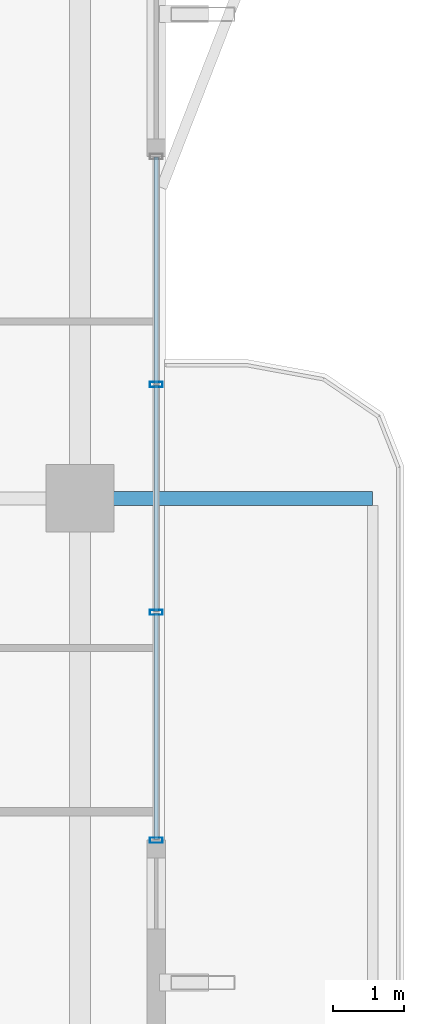
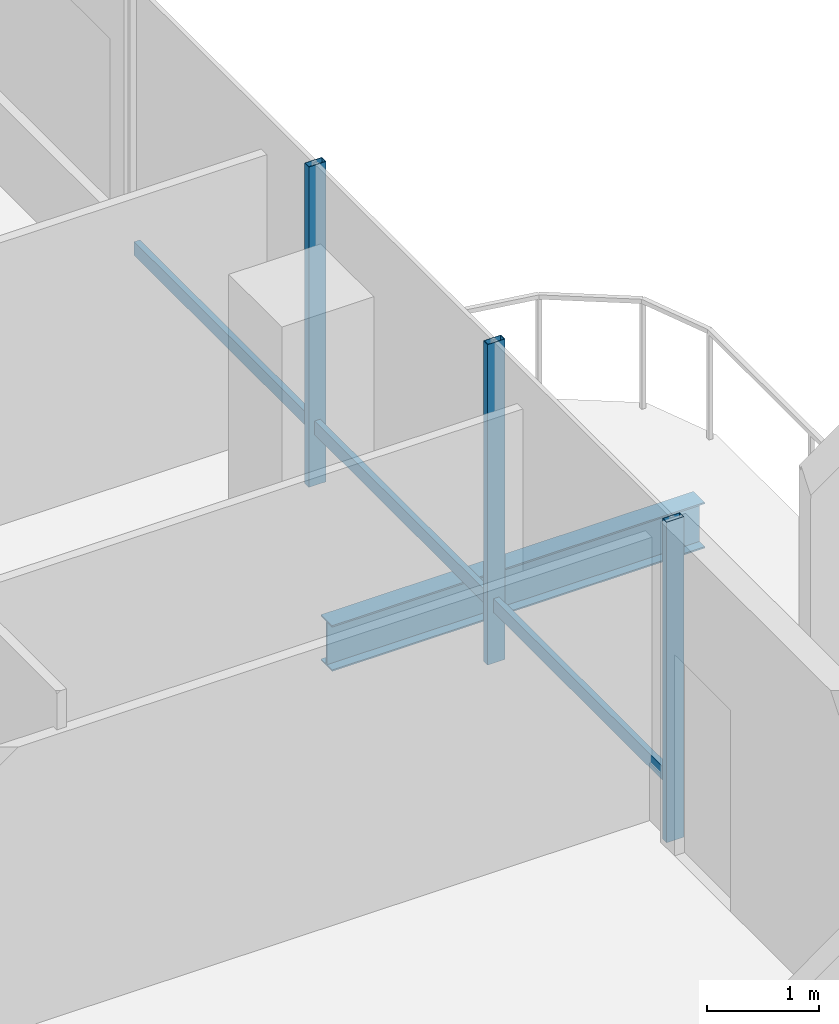
# One storey, part 10 of 25: 6 members, 1 beam, 1 element without a shape of its own.
"""IFC4 building model written with IfcOpenShell, lengths in metres."""

from ifc_helpers import new_model, si_unit, direction, frame, origin, origin_2d, place, context, subcontext, project, spatial, hollow_rectangle, i_section, extrude, material, layer, layer_set, material_profile, profile_set, type_object, element, aggregate, save


model = new_model("IFC4")

# Units and contexts
model_context = context("Model", 3, precision=1e-05, world=origin(), true_north=direction((0.0, 1.0)))
body_context = subcontext(model_context, "Body", "Model", "MODEL_VIEW")
ifc_project = project(units=[si_unit("LENGTHUNIT", "METRE"), si_unit("AREAUNIT", "SQUARE_METRE"), si_unit("VOLUMEUNIT", "CUBIC_METRE"), si_unit("PLANEANGLEUNIT", "RADIAN"), si_unit("MASSUNIT", "GRAM", prefix="KILO")], contexts=[model_context])

# Site, building, storey
site_placement = place(None, origin())
site = spatial("IfcSite", under=ifc_project, at=site_placement, CompositionType="ELEMENT")
building_placement = place(site_placement, origin())
building = spatial("IfcBuilding", under=site, at=building_placement, Name="Belovzor Exchange Tower", CompositionType="ELEMENT")
storey_placement = place(building_placement, frame((0.0, 0.0, 265.35009765625)))
storey = spatial("IfcBuildingStorey", under=building, at=storey_placement, Name="L66", CompositionType="ELEMENT", Elevation=265.35009765625)

# Beam
ifc_material_1 = material(Name="Steel S355", Category="steel")
ifc_material_profile_1 = material_profile(ifc_material_1, i_section(OverallWidth=0.199951171875, OverallDepth=0.5, WebThickness=0.01025390625, FlangeThickness=0.01611328125, at=origin_2d()))
ifc_profile_set_1 = profile_set([ifc_material_profile_1], Name="Steel S355")
beam_type = type_object("IfcBeamType", Name="Planted Balcony Cantilever Beam IPE 500", PredefinedType="BEAM", material=ifc_profile_set_1)
beam_placement = place(storey_placement, frame((52.760986328125, 28.800048828125, -0.5), z_axis=(1.0, 0.0, 0.0), x_axis=(0.0, 1.0, 0.0)))
element("IfcBeam", 1, at=beam_placement, inside=storey, type_object=beam_type, Name="BC-500 Planted Balcony Cantilever Beam IPE 500", PredefinedType="BEAM", context=body_context, shape_type="SweptSolid", body=[
    extrude(i_section(OverallWidth=0.199951171875, OverallDepth=0.5, WebThickness=0.01025390625, FlangeThickness=0.01611328125, at=origin_2d()), origin(), (0.0, 0.0, 1.0), 3.85009765625),
])

# Curtain wall, members
ifc_material_2 = material(Name="Anodised Aluminium Framing", Category="aluminium")
ifc_layer = layer(ifc_material_2, 0.179931640625)
ifc_layer_set = layer_set([ifc_layer], Name="Anodised Aluminium Framing")
curtain_wall_type = type_object("IfcCurtainWallType", Name="Recessed Loggia Low-Iron Triple-Glazed Curtain Wall", PredefinedType="NOTDEFINED", material=ifc_layer_set)
curtain_wall_placement = place(storey_placement, origin())
curtain_wall = element("IfcCurtainWall", 2, at=curtain_wall_placement, inside=storey, type_object=curtain_wall_type, Name="CW3 Recessed Loggia Low-Iron Triple-Glazed Curtain Wall L66", PredefinedType="NOTDEFINED")
ifc_material_3 = material(Name="Steel S355", Category="steel")
ifc_material_profile_2 = material_profile(ifc_material_3, hollow_rectangle(XDim=0.074951171875, YDim=0.179931640625, WallThickness=0.0048828125, at=origin_2d()))
ifc_profile_set_2 = profile_set([ifc_material_profile_2], Name="Steel S355")
member_type_1 = type_object("IfcMemberType", Name="Thermally Broken Curtain Wall Mullion 180x75", PredefinedType="MULLION", material=ifc_profile_set_2)
member_1_placement = place(storey_placement, frame((53.570068359375, 30.39990234375, 0.0), z_axis=(0.0, 0.0, 1.0), x_axis=(0.0, -1.0, 0.0)))
member_1 = element("IfcMember", 3, at=member_1_placement, type_object=member_type_1, Name="CW-M180 Curtain Wall Mullion 2", PredefinedType="MULLION", context=body_context, shape_type="SweptSolid", body=[
    extrude(hollow_rectangle(XDim=0.074951171875, YDim=0.179931640625, WallThickness=0.0048828125, at=origin_2d()), origin(), (0.0, 0.0, 1.0), 3.5),
])
member_2_placement = place(storey_placement, frame((53.570068359375, 27.199951171875, 0.0), z_axis=(0.0, 0.0, 1.0), x_axis=(0.0, -1.0, 0.0)))
member_2 = element("IfcMember", 4, at=member_2_placement, type_object=member_type_1, Name="CW-M180 Curtain Wall Mullion 3", PredefinedType="MULLION", context=body_context, shape_type="SweptSolid", body=[
    extrude(hollow_rectangle(XDim=0.074951171875, YDim=0.179931640625, WallThickness=0.0048828125, at=origin_2d()), origin(), (0.0, 0.0, 1.0), 3.5),
])
member_3_placement = place(storey_placement, frame((53.570068359375, 24.0, 0.0), z_axis=(0.0, 0.0, 1.0), x_axis=(0.0, -1.0, 0.0)))
member_3 = element("IfcMember", 5, at=member_3_placement, type_object=member_type_1, Name="CW-M180 Curtain Wall Mullion 4", PredefinedType="MULLION", context=body_context, shape_type="SweptSolid", body=[
    extrude(hollow_rectangle(XDim=0.074951171875, YDim=0.179931640625, WallThickness=0.0048828125, at=origin_2d()), origin(), (0.0, 0.0, 1.0), 3.5),
])
ifc_material_4 = material(Name="Steel S355", Category="steel")
ifc_material_profile_3 = material_profile(ifc_material_4, hollow_rectangle(XDim=0.06005859375, YDim=0.14990234375, WallThickness=0.00390625, at=origin_2d()))
ifc_profile_set_3 = profile_set([ifc_material_profile_3], Name="Steel S355")
member_type_2 = type_object("IfcMemberType", Name="Thermally Broken Curtain Wall Transom 150x60", PredefinedType="USERDEFINED", material=ifc_profile_set_3)
member_4_placement = place(storey_placement, frame((53.570068359375, 33.592041015625, 0.6298828125), z_axis=(0.0, -1.0, 0.0), x_axis=(1.0, 0.0, 0.0)))
member_4 = element("IfcMember", 6, at=member_4_placement, type_object=member_type_2, Name="CW-T150 Curtain Wall Transom 1", ObjectType="TRANSOM", PredefinedType="USERDEFINED", context=body_context, shape_type="SweptSolid", body=[
    extrude(hollow_rectangle(XDim=0.06005859375, YDim=0.14990234375, WallThickness=0.00390625, at=origin_2d()), origin(), (0.0, 0.0, 1.0), 3.18408203125),
])
member_5_placement = place(storey_placement, frame((53.570068359375, 30.39208984375, 0.6298828125), z_axis=(0.0, -1.0, 0.0), x_axis=(1.0, 0.0, 0.0)))
member_5 = element("IfcMember", 7, at=member_5_placement, type_object=member_type_2, Name="CW-T150 Curtain Wall Transom 2", ObjectType="TRANSOM", PredefinedType="USERDEFINED", context=body_context, shape_type="SweptSolid", body=[
    extrude(hollow_rectangle(XDim=0.06005859375, YDim=0.14990234375, WallThickness=0.00390625, at=origin_2d()), origin(), (0.0, 0.0, 1.0), 3.18408203125),
])
member_6_placement = place(storey_placement, frame((53.570068359375, 27.19189453125, 0.6298828125), z_axis=(0.0, -1.0, 0.0), x_axis=(1.0, 0.0, 0.0)))
member_6 = element("IfcMember", 8, at=member_6_placement, type_object=member_type_2, Name="CW-T150 Curtain Wall Transom 3", ObjectType="TRANSOM", PredefinedType="USERDEFINED", context=body_context, shape_type="SweptSolid", body=[
    extrude(hollow_rectangle(XDim=0.06005859375, YDim=0.14990234375, WallThickness=0.00390625, at=origin_2d()), origin(), (0.0, 0.0, 1.0), 3.183837890625),
])
aggregate(curtain_wall, [member_1, member_2, member_3, member_4, member_5, member_6])

save(model, "model.ifc")
